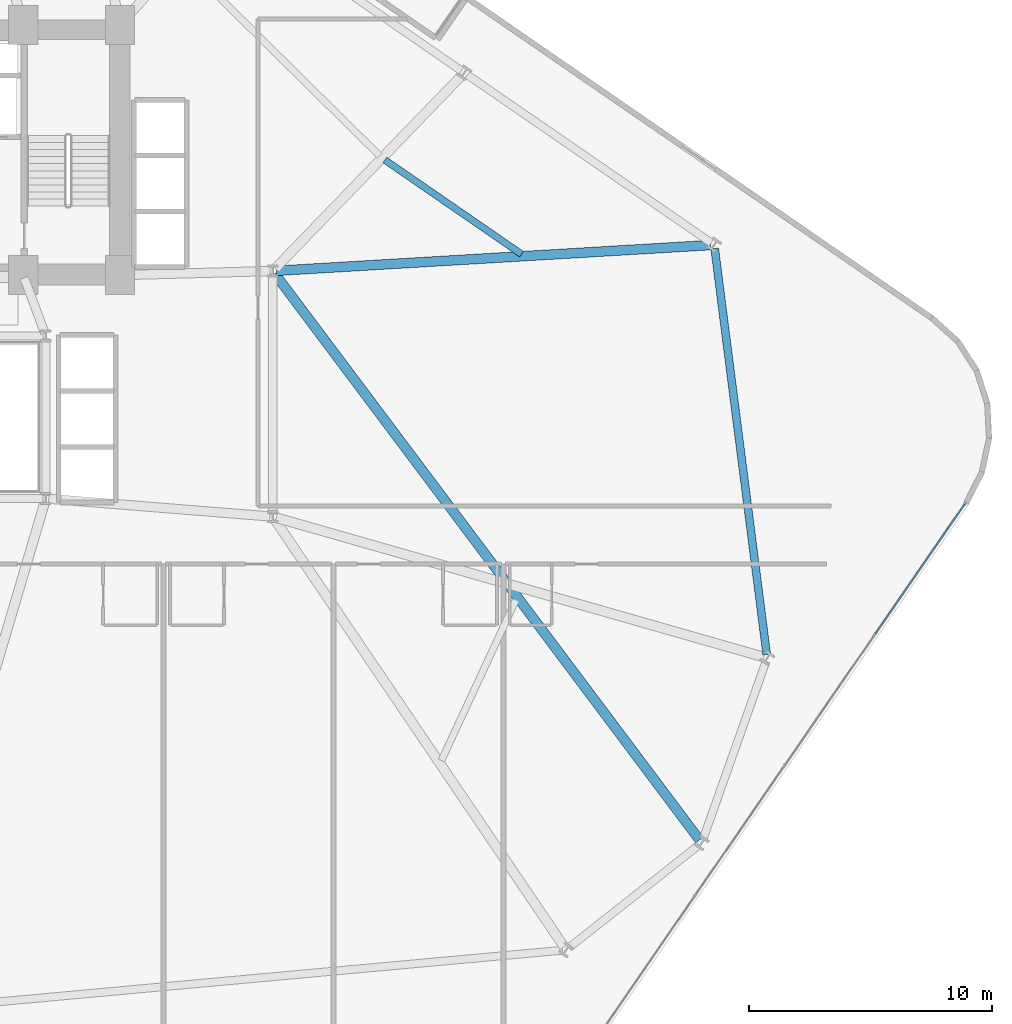
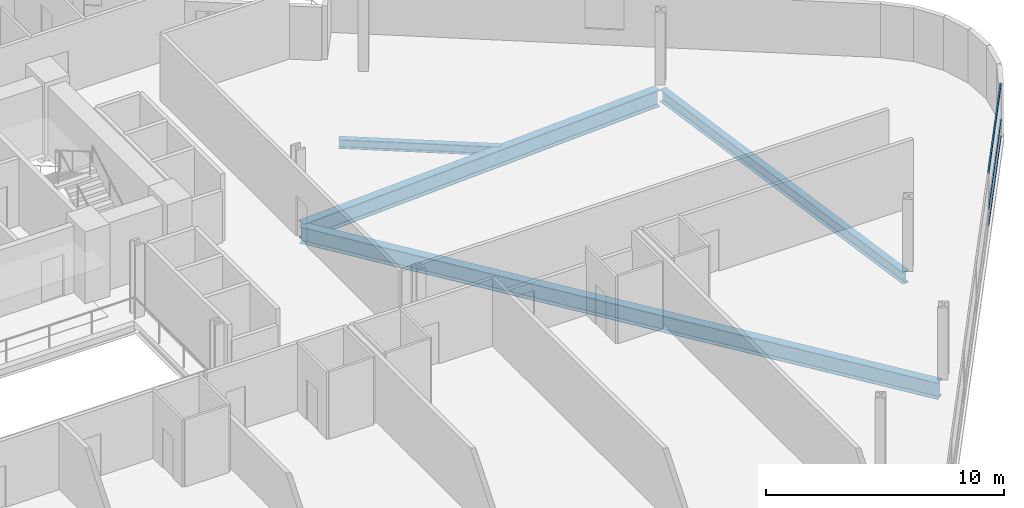
# One storey, part 10 of 25: 4 beams, 3 members, 1 element without a shape of its own.
"""IFC4 building model written with IfcOpenShell, lengths in metres."""

from ifc_helpers import new_model, si_unit, direction, frame, origin, origin_2d, place, context, subcontext, project, spatial, hollow_rectangle, i_section, extrude, material, layer, layer_set, material_profile, profile_set, type_object, element, aggregate, save


model = new_model("IFC4")

# Units and contexts
model_context = context("Model", 3, precision=1e-05, world=origin(), true_north=direction((0.0, 1.0)))
body_context = subcontext(model_context, "Body", "Model", "MODEL_VIEW")
ifc_project = project(units=[si_unit("LENGTHUNIT", "METRE"), si_unit("AREAUNIT", "SQUARE_METRE"), si_unit("VOLUMEUNIT", "CUBIC_METRE"), si_unit("PLANEANGLEUNIT", "RADIAN"), si_unit("MASSUNIT", "GRAM", prefix="KILO")], contexts=[model_context])

# Site, building, storey
site_placement = place(None, origin())
site = spatial("IfcSite", under=ifc_project, at=site_placement, CompositionType="ELEMENT")
building_placement = place(site_placement, origin())
building = spatial("IfcBuilding", under=site, at=building_placement, Name="Varnelok Gate Tower", CompositionType="ELEMENT")
storey_placement = place(building_placement, frame((0.0, 0.0, 52.89990234375)))
storey = spatial("IfcBuildingStorey", under=building, at=storey_placement, Name="L12", CompositionType="ELEMENT", Elevation=52.89990234375)

# Beams
ifc_material_1 = material(Name="Structural Steel ASTM A992 Grade 50", Category="steel")
ifc_material_profile_1 = material_profile(ifc_material_1, i_section(OverallWidth=0.280029296875, OverallDepth=0.462890625, WebThickness=0.0107421875, FlangeThickness=0.017333984375, FilletRadius=0.014892578125, at=origin_2d()), Name="W18X76")
ifc_profile_set_1 = profile_set([ifc_material_profile_1], Name="Structural Steel ASTM A992 Grade 50")
beam_type_1 = type_object("IfcBeamType", Name="BM-JST-W18X76", PredefinedType="JOIST", material=ifc_profile_set_1)
beam_1_placement = place(storey_placement, frame((64.25048828125, 29.613525390625, -0.4814453125), z_axis=(-0.823548330325, 0.56724610851, 0.0), x_axis=(-0.56724610851, -0.823548330325, 0.0)))
element("IfcBeam", 1, at=beam_1_placement, inside=storey, type_object=beam_type_1, Name="L12 Sector Floor Joist 6", PredefinedType="JOIST", context=body_context, shape_type="SweptSolid", body=[
    extrude(i_section(OverallWidth=0.280029296875, OverallDepth=0.462890625, WebThickness=0.0107421875, FlangeThickness=0.017333984375, FilletRadius=0.014892578125, at=origin_2d()), origin(), (0.0, 0.0, 1.0), 6.844970703125),
])
ifc_material_profile_2 = material_profile(ifc_material_1, i_section(OverallWidth=0.39892578125, OverallDepth=0.85498046875, WebThickness=0.018310546875, FlangeThickness=0.029296875, FilletRadius=0.02392578125, at=origin_2d()), Name="W33X201")
ifc_profile_set_2 = profile_set([ifc_material_profile_2], Name="Structural Steel ASTM A992 Grade 50")
beam_type_2 = type_object("IfcBeamType", Name="BM-PRI-W33X201", PredefinedType="BEAM", material=ifc_profile_set_2)
beam_2_placement = place(storey_placement, frame((54.090087890625, 28.800048828125, -0.677490234375), z_axis=(0.600038863323, -0.799970851033, 0.0), x_axis=(0.799970851033, 0.600038863323, 0.0)))
element("IfcBeam", 2, at=beam_2_placement, inside=storey, type_object=beam_type_2, Name="L12 Radial Floor Girder 7", PredefinedType="BEAM", context=body_context, shape_type="SweptSolid", body=[
    extrude(i_section(OverallWidth=0.39892578125, OverallDepth=0.85498046875, WebThickness=0.018310546875, FlangeThickness=0.029296875, FilletRadius=0.02392578125, at=origin_2d()), origin(), (0.0, 0.0, 1.0), 29.148193359375),
])
beam_3_placement = place(storey_placement, frame((54.149658203125, 28.928955078125, -0.677490234375), z_axis=(0.998250753284, 0.059122191839, 0.0), x_axis=(-0.059122191839, 0.998250753284, 0.0)))
element("IfcBeam", 3, at=beam_3_placement, inside=storey, type_object=beam_type_2, Name="L12 Radial Floor Girder 9", PredefinedType="BEAM", context=body_context, shape_type="SweptSolid", body=[
    extrude(i_section(OverallWidth=0.39892578125, OverallDepth=0.85498046875, WebThickness=0.018310546875, FlangeThickness=0.029296875, FilletRadius=0.02392578125, at=origin_2d()), origin(), (0.0, 0.0, 1.0), 17.91748046875),
])
ifc_material_profile_3 = material_profile(ifc_material_1, i_section(OverallWidth=0.323974609375, OverallDepth=0.611083984375, WebThickness=0.0126953125, FlangeThickness=0.01904296875, FilletRadius=0.01806640625, at=origin_2d()), Name="W24X104")
ifc_profile_set_3 = profile_set([ifc_material_profile_3], Name="Structural Steel ASTM A992 Grade 50")
beam_type_3 = type_object("IfcBeamType", Name="BM-SPN-W24X104", PredefinedType="SPANDREL", material=ifc_profile_set_3)
beam_4_placement = place(storey_placement, frame((74.347900390625, 13.125, -0.555419921875), z_axis=(-0.127122673264, 0.991887002608, 0.0), x_axis=(-0.991887002608, -0.127122673264, 0.0)))
element("IfcBeam", 4, at=beam_4_placement, inside=storey, type_object=beam_type_3, Name="L12 Perimeter Spandrel Beam 8", PredefinedType="SPANDREL", context=body_context, shape_type="SweptSolid", body=[
    extrude(i_section(OverallWidth=0.323974609375, OverallDepth=0.611083984375, WebThickness=0.0126953125, FlangeThickness=0.01904296875, FilletRadius=0.01806640625, at=origin_2d()), origin(), (0.0, 0.0, 1.0), 16.860107421875),
])

# Curtain wall, members
ifc_material_2 = material(Name="Anodized Aluminum Alloy 6063-T6", Category="aluminium")
ifc_layer = layer(ifc_material_2, 0.179931640625)
ifc_layer_set = layer_set([ifc_layer], Name="Anodized Aluminum Alloy 6063-T6")
curtain_wall_type = type_object("IfcCurtainWallType", Name="CW3-HOTEL-VISION", PredefinedType="USERDEFINED", material=ifc_layer_set)
curtain_wall_placement = place(storey_placement, origin())
curtain_wall = element("IfcCurtainWall", 5, at=curtain_wall_placement, inside=storey, type_object=curtain_wall_type, Name="L12 East End Vision Curtain Wall", ObjectType="UNITISED CURTAIN WALL", PredefinedType="USERDEFINED")
ifc_material_profile_4 = material_profile(ifc_material_2, hollow_rectangle(XDim=0.06494140625, YDim=0.159912109375, WallThickness=0.00390625, at=origin_2d()), Name="ALU160X65X4")
ifc_profile_set_4 = profile_set([ifc_material_profile_4], Name="Anodized Aluminum Alloy 6063-T6")
member_type = type_object("IfcMemberType", Name="CW-TRAN-160", PredefinedType="USERDEFINED", material=ifc_profile_set_4)
member_1_placement = place(storey_placement, frame((82.505615234375, 19.3125, 0.03271484375), z_axis=(-0.567298980035, -0.823511910813, 0.0), x_axis=(0.823511910813, -0.567298980035, 0.0)))
member_1 = element("IfcMember", 6, at=member_1_placement, type_object=member_type, Name="CW3 transom 1.1", ObjectType="TRANSOM", PredefinedType="USERDEFINED", context=body_context, shape_type="SweptSolid", body=[
    extrude(hollow_rectangle(XDim=0.06494140625, YDim=0.159912109375, WallThickness=0.00390625, at=origin_2d()), origin(), (0.0, 0.0, 1.0), 6.468994140625),
])
member_2_placement = place(storey_placement, frame((82.505615234375, 19.3125, 0.900146484375), z_axis=(-0.567298980035, -0.823511910813, 0.0), x_axis=(0.823511910813, -0.567298980035, 0.0)))
member_2 = element("IfcMember", 7, at=member_2_placement, type_object=member_type, Name="CW3 transom 1.2", ObjectType="TRANSOM", PredefinedType="USERDEFINED", context=body_context, shape_type="SweptSolid", body=[
    extrude(hollow_rectangle(XDim=0.06494140625, YDim=0.159912109375, WallThickness=0.00390625, at=origin_2d()), origin(), (0.0, 0.0, 1.0), 6.468994140625),
])
member_3_placement = place(storey_placement, frame((82.505615234375, 19.3125, 2.697509765625), z_axis=(-0.567298980035, -0.823511910813, 0.0), x_axis=(0.823511910813, -0.567298980035, 0.0)))
member_3 = element("IfcMember", 8, at=member_3_placement, type_object=member_type, Name="CW3 transom 1.3", ObjectType="TRANSOM", PredefinedType="USERDEFINED", context=body_context, shape_type="SweptSolid", body=[
    extrude(hollow_rectangle(XDim=0.06494140625, YDim=0.159912109375, WallThickness=0.00390625, at=origin_2d()), origin(), (0.0, 0.0, 1.0), 6.468994140625),
])
aggregate(curtain_wall, [member_1, member_2, member_3])

save(model, "model.ifc")
